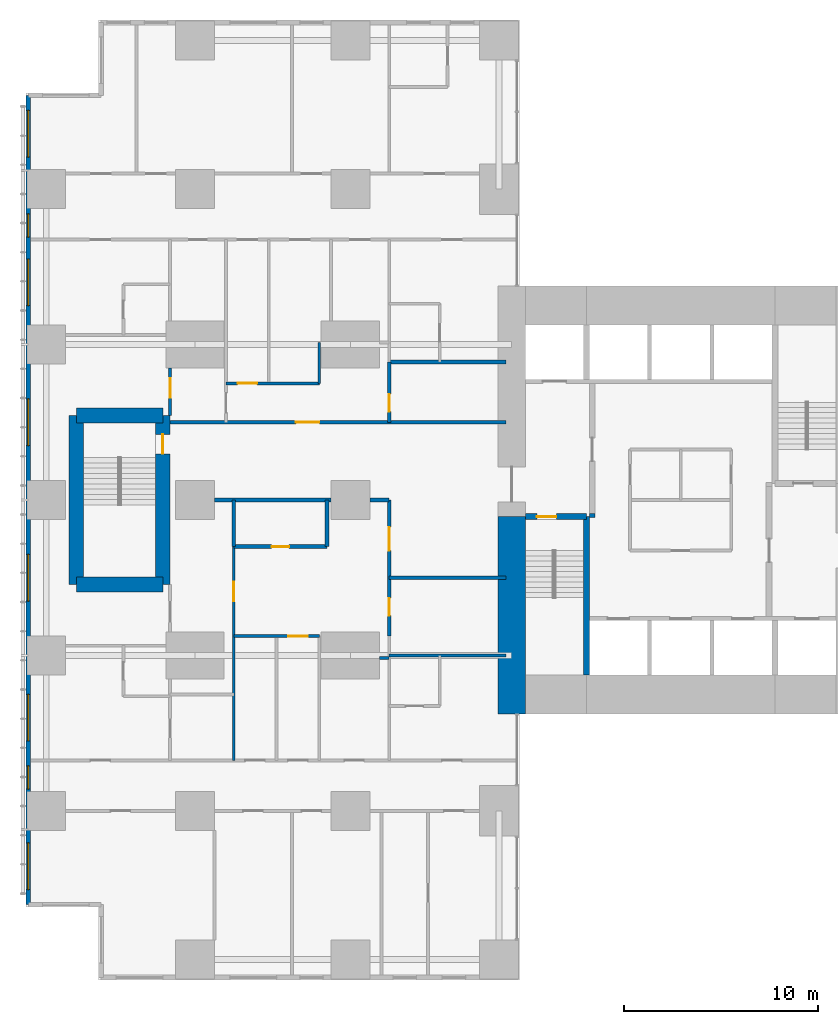
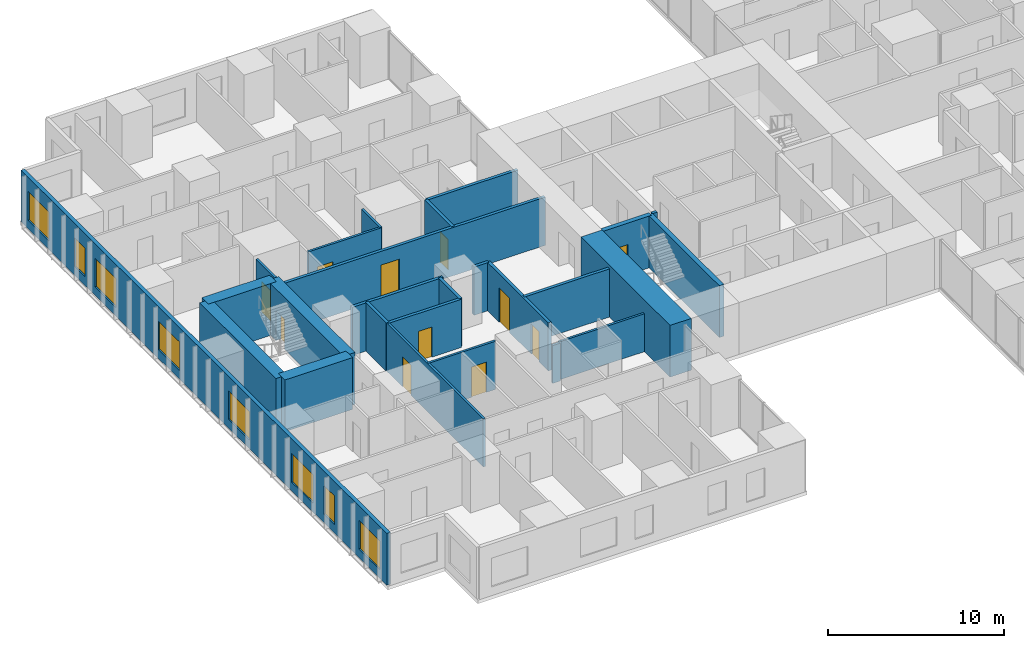
# One storey, part 13 of 20: 26 walls, 11 doors, 8 windows, 19 openings.
"""IFC4 building model written with IfcOpenShell, lengths in metres."""

import ifcopenshell
import ifcopenshell.guid

model = None  # the IFC model being written
_history = None  # IfcOwnerHistory: only IFC2X3 demands one
_inside = {}  # id of a spatial element -> (the spatial element, [elements in it])
_under = {}  # id of a project, library or spatial element -> (it, [spatial elements below it])
_declared = {}  # id of a project -> (the project, [libraries it declares])
_typed = {}  # id of a type object -> (the type object, [elements of that type])
_made_of = {}  # id of a material, layer set ... -> (it, [elements and type objects made of it])


def new_model(schema):
    """Start an empty IFC model of exactly this schema.

    Asked for "IFC4X3", IfcOpenShell would pick the latest addendum, in which some entities
    have other attributes; the version numbers below select the first issue.
    IFC2X3 requires an IfcOwnerHistory on every rooted entity: one is made here for all.
    """
    global model, _history
    if schema == "IFC4X3":
        model = ifcopenshell.file(schema_version=(4, 3, 0, 0))
    else:
        model = ifcopenshell.file(schema=schema)
    _inside.clear()
    _under.clear()
    _declared.clear()
    _typed.clear()
    _made_of.clear()
    _history = None
    if model.schema == "IFC2X3":
        org = make("IfcOrganization", Name="unknown")
        user = make(
            "IfcPersonAndOrganization",
            ThePerson=make("IfcPerson", FamilyName="unknown"),
            TheOrganization=org,
        )
        app = make(
            "IfcApplication",
            ApplicationDeveloper=org,
            Version="unknown",
            ApplicationFullName="unknown",
            ApplicationIdentifier="unknown",
        )
        _history = make(
            "IfcOwnerHistory",
            OwningUser=user,
            OwningApplication=app,
            ChangeAction="ADDED",
            CreationDate=0,
        )
    return model


def make(cls, **values):
    """One entity of the class cls with the attributes given. An attribute that is None is left unset."""
    return model.create_entity(
        cls, **{name: value for name, value in values.items() if value is not None}
    )


def rooted(cls, **values):
    """An entity with a GlobalId (a new one), such as an element, a storey or a relation."""
    return make(cls, GlobalId=ifcopenshell.guid.new(), OwnerHistory=_history, **values)


def si_unit(unit_type, name, prefix=None):
    """IfcSIUnit, for example si_unit("LENGTHUNIT", "METRE", prefix="MILLI")."""
    return make("IfcSIUnit", UnitType=unit_type, Prefix=prefix, Name=name)


def assignment(units):
    """IfcUnitAssignment: the units of a project."""
    return None if units is None else make("IfcUnitAssignment", Units=units)


def point(xyz):
    """IfcCartesianPoint."""
    return None if xyz is None else make("IfcCartesianPoint", Coordinates=xyz)


def direction(xyz):
    """IfcDirection."""
    return None if xyz is None else make("IfcDirection", DirectionRatios=xyz)


def frame(location, z_axis=None, x_axis=None):
    """IfcAxis2Placement3D, a coordinate frame: its origin and axes. An axis left out is left unset."""
    return make(
        "IfcAxis2Placement3D",
        Location=point(location),
        Axis=direction(z_axis),
        RefDirection=direction(x_axis),
    )


def frame_2d(location, x_axis=None):
    """IfcAxis2Placement2D, a coordinate frame in the plane: its origin and x axis."""
    return make(
        "IfcAxis2Placement2D", Location=point(location), RefDirection=direction(x_axis)
    )


def origin():
    """The frame at (0, 0, 0) with its axes left unset."""
    return frame((0.0, 0.0, 0.0))


def place(relative_to, where):
    """IfcLocalPlacement: puts the frame where relative to a parent placement (None: the world)."""
    return make(
        "IfcLocalPlacement", PlacementRelTo=relative_to, RelativePlacement=where
    )


def context(
    kind, dimensions, precision=None, world=None, true_north=None, identifier=None
):
    """IfcGeometricRepresentationContext, for example the 3D "Model" context."""
    return make(
        "IfcGeometricRepresentationContext",
        ContextIdentifier=identifier,
        ContextType=kind,
        CoordinateSpaceDimension=dimensions,
        Precision=precision,
        WorldCoordinateSystem=world,
        TrueNorth=true_north,
    )


def subcontext(parent, identifier, kind, view, scale=None):
    """IfcGeometricRepresentationSubContext, for example "Body" below "Model"."""
    return make(
        "IfcGeometricRepresentationSubContext",
        ContextIdentifier=identifier,
        ContextType=kind,
        ParentContext=parent,
        TargetScale=scale,
        TargetView=view,
    )


def project(units=None, contexts=None):
    """IfcProject with its units and contexts."""
    return rooted(
        "IfcProject",
        Name="project",
        RepresentationContexts=contexts,
        UnitsInContext=assignment(units),
    )


def spatial(cls, under=None, at=None, **own):
    """A site, building, storey or space (cls), placed at a placement, below another one or the project."""
    s = rooted(cls, ObjectPlacement=at, **own)
    if under is not None:
        _under.setdefault(under.id(), (under, []))[1].append(s)
    return s


def profile(cls, at=None, kind="AREA", **sizes):
    """A parametric profile (cls). Its sizes go by their IFC names, for example OverallWidth=200.0."""
    return make(cls, ProfileType=kind, Position=at, **sizes)


def rectangle(**sizes):
    """IfcRectangleProfileDef."""
    return profile("IfcRectangleProfileDef", **sizes)


def extrude(swept, where, along, depth):
    """IfcExtrudedAreaSolid: the profile swept, set in the frame where, extruded along a direction by depth."""
    return make(
        "IfcExtrudedAreaSolid",
        SweptArea=swept,
        Position=where,
        ExtrudedDirection=direction(along),
        Depth=depth,
    )


def shape(context_of_items, identifier, shape_type, items):
    """IfcShapeRepresentation: the items that make up one representation, for example the "Body"."""
    return make(
        "IfcShapeRepresentation",
        ContextOfItems=context_of_items,
        RepresentationIdentifier=identifier,
        RepresentationType=shape_type,
        Items=items,
    )


def material(Name=None, Category=None):
    """IfcMaterial."""
    return make("IfcMaterial", Name=Name, Category=Category)


def layer(
    of_material, thickness, ventilated=None, Name=None, Category=None, Priority=None
):
    """IfcMaterialLayer: one layer of a wall or slab, of a material (None: an air gap)."""
    return make(
        "IfcMaterialLayer",
        Material=of_material,
        LayerThickness=thickness,
        IsVentilated=ventilated,
        Name=Name,
        Category=Category,
        Priority=Priority,
    )


def layer_set(layers, Name=None):
    """IfcMaterialLayerSet."""
    return make("IfcMaterialLayerSet", MaterialLayers=layers, LayerSetName=Name)


def made_of(thing, what):
    """Note that an element or type object is made of a material, layer set ...; save() writes the relation."""
    if what is not None:
        _made_of.setdefault(what.id(), (what, []))[1].append(thing)
    return thing


def type_object(cls, material=None, **own):
    """A type object (cls), such as IfcWallType, which elements share."""
    return made_of(rooted(cls, **own), material)


def element(
    cls,
    number,
    at=None,
    inside=None,
    cuts=None,
    type_object=None,
    material=None,
    context=None,
    identifier="Body",
    shape_type=None,
    held_by="IfcProductDefinitionShape",
    body=None,
    shapes=None,
    **own,
):
    """One element of the class cls, such as IfcWall. Its Tag is "e" and its number.

    at: its placement. inside: the storey or other place that contains it. cuts: it is an
    opening in that element (IfcRelVoidsElement). A single representation is given by context,
    identifier, shape_type and body (its items); several are given by shapes. held_by: the class
    of the entity that holds the representations. save() writes the other relations.
    """
    e = rooted(cls, Tag="e%d" % number, ObjectPlacement=at, **own)
    if body is not None:
        shapes = [shape(context, identifier, shape_type, body)]
    if shapes is not None:
        e.Representation = make(held_by, Representations=shapes)
    if inside is not None:
        _inside.setdefault(inside.id(), (inside, []))[1].append(e)
    if cuts is not None:
        rooted(
            "IfcRelVoidsElement", RelatingBuildingElement=cuts, RelatedOpeningElement=e
        )
    if type_object is not None:
        _typed.setdefault(type_object.id(), (type_object, []))[1].append(e)
    return made_of(e, material)


def fill(opening, filler):
    """IfcRelFillsElement: the door or window that sits in an opening."""
    return rooted(
        "IfcRelFillsElement",
        RelatingOpeningElement=opening,
        RelatedBuildingElement=filler,
    )


def aggregate(whole, parts):
    """IfcRelAggregates: a whole, such as a stair, and the parts it consists of."""
    return rooted("IfcRelAggregates", RelatingObject=whole, RelatedObjects=parts)


def save(model, path):
    """Write the relations noted so far, then the file.

    IfcRelAggregates (storeys below a building ...), IfcRelContainedInSpatialStructure (elements
    in a storey), IfcRelDefinesByType, IfcRelAssociatesMaterial and IfcRelDeclares: one each for
    every whole, place, type object, material and project.
    """
    for whole, parts in _under.values():
        aggregate(whole, parts)
    for where, things in _inside.values():
        rooted(
            "IfcRelContainedInSpatialStructure",
            RelatedElements=things,
            RelatingStructure=where,
        )
    for kind, things in _typed.values():
        rooted("IfcRelDefinesByType", RelatedObjects=things, RelatingType=kind)
    for what, things in _made_of.values():
        rooted("IfcRelAssociatesMaterial", RelatedObjects=things, RelatingMaterial=what)
    for by, libraries in _declared.values():
        rooted("IfcRelDeclares", RelatingContext=by, RelatedDefinitions=libraries)
    model.write(path)


model = new_model("IFC4")

# Units and contexts
model_context = context("Model", 3, precision=1e-05, world=origin(), true_north=direction((0.0, 1.0)))
body_context = subcontext(model_context, "Body", "Model", "MODEL_VIEW")
ifc_project = project(units=[si_unit("LENGTHUNIT", "METRE"), si_unit("AREAUNIT", "SQUARE_METRE"), si_unit("VOLUMEUNIT", "CUBIC_METRE"), si_unit("PLANEANGLEUNIT", "RADIAN"), si_unit("MASSUNIT", "GRAM", prefix="KILO")], contexts=[model_context])

# Site, building, storey
site_placement = place(None, origin())
site = spatial("IfcSite", under=ifc_project, at=site_placement, CompositionType="ELEMENT")
building_placement = place(site_placement, origin())
building = spatial("IfcBuilding", under=site, at=building_placement, Name="Cleftline Residences", CompositionType="ELEMENT")
storey_placement = place(building_placement, frame((0.0, 0.0, 47.60009765625)))
storey = spatial("IfcBuildingStorey", under=building, at=storey_placement, Name="L11", CompositionType="ELEMENT", Elevation=47.60009765625)

# Walls
ifc_material_1 = material(Name="Concrete B70", Category="concrete")
ifc_layer_1 = layer(ifc_material_1, 1.39990234375)
ifc_layer_set_1 = layer_set([ifc_layer_1], Name="CORE WALL 1400")
wall_type_1 = type_object("IfcWallType", Name="CORE WALL 1400", PredefinedType="SHEAR", material=ifc_layer_set_1)
wall_1_placement = place(storey_placement, frame((24.300048828125, 13.0, 0.0), z_axis=(0.0, 0.0, 1.0), x_axis=(0.0, 1.0, 0.0)))
element("IfcWall", 1, at=wall_1_placement, inside=storey, type_object=wall_type_1, Name="Core wall W0", PredefinedType="SHEAR", context=body_context, shape_type="SweptSolid", body=[
    extrude(rectangle(XDim=10.14990234375, YDim=1.39990234375, at=frame_2d((5.074951171875, 0.0))), origin(), (0.0, 0.0, 1.0), 3.599853515625),
])
ifc_material_2 = material(Name="Concrete B70", Category="concrete")
ifc_layer_2 = layer(ifc_material_2, 0.300048828125)
ifc_layer_set_2 = layer_set([ifc_layer_2], Name="CORE WALL 300")
wall_type_2 = type_object("IfcWallType", Name="CORE WALL 300", PredefinedType="SHEAR", material=ifc_layer_set_2)
wall_2_placement = place(storey_placement, frame((28.14990234375, 15.0, 0.0), z_axis=(0.0, 0.0, 1.0), x_axis=(0.0, 1.0, 0.0)))
element("IfcWall", 2, at=wall_2_placement, inside=storey, type_object=wall_type_2, Name="Core wall SA-E", PredefinedType="SHEAR", context=body_context, shape_type="SweptSolid", body=[
    extrude(rectangle(XDim=8.14990234375, YDim=0.300048828125, at=frame_2d((4.074951171875, 0.0))), origin(), (0.0, 0.0, 1.0), 3.599853515625),
])

# Wall, opening, door
wall_3_placement = place(storey_placement, frame((25.0, 23.14990234375, 0.0), z_axis=(0.0, 0.0, 1.0), x_axis=(1.0, 0.0, 0.0)))
wall_3 = element("IfcWall", 3, at=wall_3_placement, inside=storey, type_object=wall_type_2, Name="Core wall SA-N", PredefinedType="SHEAR", context=body_context, shape_type="SweptSolid", body=[
    extrude(rectangle(XDim=3.14990234375, YDim=0.300048828125, at=frame_2d((1.574951171875, 0.0))), origin(), (0.0, 0.0, 1.0), 3.599853515625),
])
opening_1_placement = place(wall_3_placement, frame((0.60009765625, 0.0, 0.0)))
opening_1 = element("IfcOpeningElement", 4, at=opening_1_placement, cuts=wall_3, Name="Opening D5", PredefinedType="OPENING", context=body_context, shape_type="SweptSolid", body=[
    extrude(rectangle(XDim=1.0, YDim=2.10009765625, at=frame_2d((0.5, 1.050048828125))), frame((0.0, 0.159912109375, 0.0), z_axis=(0.0, -1.0, 0.0), x_axis=(1.0, 0.0, 0.0)), (0.0, 0.0, 1.0), 0.320068359375),
])
ifc_material_3 = material(Name="Steel", Category="steel")
door_type_1 = type_object("IfcDoorType", Name="STAIR DOOR 1000X2100", OperationType="SINGLE_SWING_LEFT", PredefinedType="DOOR", material=ifc_material_3)
door_1_placement = place(opening_1_placement, origin())
door_1 = element("IfcDoor", 5, at=door_1_placement, inside=storey, type_object=door_type_1, Name="Stair A door", OperationType="SINGLE_SWING_RIGHT", OverallHeight=2.10009765625, OverallWidth=1.0, PredefinedType="DOOR", context=body_context, shape_type="SweptSolid", body=[
    extrude(rectangle(XDim=1.0, YDim=2.10009765625, at=frame_2d((0.5, 1.050048828125))), frame((0.0, 0.02490234375, 0.0), z_axis=(0.0, -1.0, 0.0), x_axis=(1.0, 0.0, 0.0)), (0.0, 0.0, 1.0), 0.050048828125),
])
fill(opening_1, door_1)

# Wall, openings, windows
ifc_material_4 = material(Name="Rendered reinforced concrete blockwork", Category="masonry")
ifc_layer_3 = layer(ifc_material_4, 0.25)
ifc_layer_set_3 = layer_set([ifc_layer_3], Name="EXTERNAL WALL 250")
wall_type_3 = type_object("IfcWallType", Name="EXTERNAL WALL 250", PredefinedType="SOLIDWALL", material=ifc_layer_set_3)
wall_4_placement = place(storey_placement, frame((-0.574951171875, 44.824951171875, 0.0), z_axis=(0.0, 0.0, 1.0), x_axis=(0.0, -1.0, 0.0)))
wall_4 = element("IfcWall", 6, at=wall_4_placement, inside=storey, type_object=wall_type_3, Name="External wall", PredefinedType="SOLIDWALL", context=body_context, shape_type="SweptSolid", body=[
    extrude(rectangle(XDim=41.64990234375, YDim=0.25, at=frame_2d((20.824951171875, 0.0))), origin(), (0.0, 0.0, 1.0), 3.599853515625),
])
opening_2_placement = place(wall_4_placement, frame((0.77490234375, 0.0, 0.60009765625)))
opening_2 = element("IfcOpeningElement", 7, at=opening_2_placement, cuts=wall_4, Name="Opening W6", PredefinedType="OPENING", context=body_context, shape_type="SweptSolid", body=[
    extrude(rectangle(XDim=2.39990234375, YDim=2.0, at=frame_2d((1.199951171875, 1.0))), frame((0.0, 0.135009765625, 0.0), z_axis=(0.0, -1.0, 0.0), x_axis=(1.0, 0.0, 0.0)), (0.0, 0.0, 1.0), 0.27001953125),
])
opening_3_placement = place(wall_4_placement, frame((6.10009765625, 0.0, 0.60009765625)))
opening_3 = element("IfcOpeningElement", 8, at=opening_3_placement, cuts=wall_4, Name="Opening W8", PredefinedType="OPENING", context=body_context, shape_type="SweptSolid", body=[
    extrude(rectangle(XDim=1.199951171875, YDim=2.0, at=frame_2d((0.60009765625, 1.0))), frame((0.0, 0.135009765625, 0.0), z_axis=(0.0, -1.0, 0.0), x_axis=(1.0, 0.0, 0.0)), (0.0, 0.0, 1.0), 0.27001953125),
])
opening_4_placement = place(wall_4_placement, frame((8.425048828125, 0.0, 0.60009765625)))
opening_4 = element("IfcOpeningElement", 9, at=opening_4_placement, cuts=wall_4, Name="Opening W6", PredefinedType="OPENING", context=body_context, shape_type="SweptSolid", body=[
    extrude(rectangle(XDim=2.39990234375, YDim=2.0, at=frame_2d((1.199951171875, 1.0))), frame((0.0, 0.135009765625, 0.0), z_axis=(0.0, -1.0, 0.0), x_axis=(1.0, 0.0, 0.0)), (0.0, 0.0, 1.0), 0.27001953125),
])
opening_5_placement = place(wall_4_placement, frame((15.625, 0.0, 0.60009765625)))
opening_5 = element("IfcOpeningElement", 10, at=opening_5_placement, cuts=wall_4, Name="Opening W6", PredefinedType="OPENING", context=body_context, shape_type="SweptSolid", body=[
    extrude(rectangle(XDim=2.39990234375, YDim=2.0, at=frame_2d((1.199951171875, 1.0))), frame((0.0, 0.135009765625, 0.0), z_axis=(0.0, -1.0, 0.0), x_axis=(1.0, 0.0, 0.0)), (0.0, 0.0, 1.0), 0.27001953125),
])
opening_6_placement = place(wall_4_placement, frame((23.625, 0.0, 0.60009765625)))
opening_6 = element("IfcOpeningElement", 11, at=opening_6_placement, cuts=wall_4, Name="Opening W6", PredefinedType="OPENING", context=body_context, shape_type="SweptSolid", body=[
    extrude(rectangle(XDim=2.39990234375, YDim=2.0, at=frame_2d((1.199951171875, 1.0))), frame((0.0, 0.135009765625, 0.0), z_axis=(0.0, -1.0, 0.0), x_axis=(1.0, 0.0, 0.0)), (0.0, 0.0, 1.0), 0.27001953125),
])
opening_7_placement = place(wall_4_placement, frame((30.824951171875, 0.0, 0.60009765625)))
opening_7 = element("IfcOpeningElement", 12, at=opening_7_placement, cuts=wall_4, Name="Opening W6", PredefinedType="OPENING", context=body_context, shape_type="SweptSolid", body=[
    extrude(rectangle(XDim=2.39990234375, YDim=2.0, at=frame_2d((1.199951171875, 1.0))), frame((0.0, 0.135009765625, 0.0), z_axis=(0.0, -1.0, 0.0), x_axis=(1.0, 0.0, 0.0)), (0.0, 0.0, 1.0), 0.27001953125),
])
opening_8_placement = place(wall_4_placement, frame((34.5, 0.0, 0.60009765625)))
opening_8 = element("IfcOpeningElement", 13, at=opening_8_placement, cuts=wall_4, Name="Opening W8", PredefinedType="OPENING", context=body_context, shape_type="SweptSolid", body=[
    extrude(rectangle(XDim=1.199951171875, YDim=2.0, at=frame_2d((0.60009765625, 1.0))), frame((0.0, 0.135009765625, 0.0), z_axis=(0.0, -1.0, 0.0), x_axis=(1.0, 0.0, 0.0)), (0.0, 0.0, 1.0), 0.27001953125),
])
opening_9_placement = place(wall_4_placement, frame((38.47509765625, 0.0, 0.60009765625)))
opening_9 = element("IfcOpeningElement", 14, at=opening_9_placement, cuts=wall_4, Name="Opening W6", PredefinedType="OPENING", context=body_context, shape_type="SweptSolid", body=[
    extrude(rectangle(XDim=2.39990234375, YDim=2.0, at=frame_2d((1.199951171875, 1.0))), frame((0.0, 0.135009765625, 0.0), z_axis=(0.0, -1.0, 0.0), x_axis=(1.0, 0.0, 0.0)), (0.0, 0.0, 1.0), 0.27001953125),
])
ifc_material_5 = material(Name="Aluminium frame, clear double glazing", Category="aluminium")
window_type_1 = type_object("IfcWindowType", Name="WINDOW 1200X2000", PartitioningType="DOUBLE_PANEL_VERTICAL", PredefinedType="WINDOW", material=ifc_material_5)
window_1_placement = place(opening_3_placement, origin())
window_1 = element("IfcWindow", 15, at=window_1_placement, inside=storey, type_object=window_type_1, Name="Window", OverallHeight=2.0, OverallWidth=1.199951171875, PartitioningType="SINGLE_PANEL", PredefinedType="WINDOW", context=body_context, shape_type="SweptSolid", body=[
    extrude(rectangle(XDim=1.199951171875, YDim=2.0, at=frame_2d((0.60009765625, 1.0))), frame((0.0, 0.030029296875, 0.0), z_axis=(0.0, -1.0, 0.0), x_axis=(1.0, 0.0, 0.0)), (0.0, 0.0, 1.0), 0.06005859375),
])
fill(opening_3, window_1)
window_2_placement = place(opening_8_placement, origin())
window_2 = element("IfcWindow", 16, at=window_2_placement, inside=storey, type_object=window_type_1, Name="Window", OverallHeight=2.0, OverallWidth=1.199951171875, PartitioningType="SINGLE_PANEL", PredefinedType="WINDOW", context=body_context, shape_type="SweptSolid", body=[
    extrude(rectangle(XDim=1.199951171875, YDim=2.0, at=frame_2d((0.60009765625, 1.0))), frame((0.0, 0.030029296875, 0.0), z_axis=(0.0, -1.0, 0.0), x_axis=(1.0, 0.0, 0.0)), (0.0, 0.0, 1.0), 0.06005859375),
])
fill(opening_8, window_2)
ifc_material_6 = material(Name="Aluminium frame, clear double glazing", Category="aluminium")
window_type_2 = type_object("IfcWindowType", Name="WINDOW 2400X2000", PartitioningType="DOUBLE_PANEL_VERTICAL", PredefinedType="WINDOW", material=ifc_material_6)
window_3_placement = place(opening_2_placement, origin())
window_3 = element("IfcWindow", 17, at=window_3_placement, inside=storey, type_object=window_type_2, Name="Window", OverallHeight=2.0, OverallWidth=2.39990234375, PartitioningType="SINGLE_PANEL", PredefinedType="WINDOW", context=body_context, shape_type="SweptSolid", body=[
    extrude(rectangle(XDim=2.39990234375, YDim=2.0, at=frame_2d((1.199951171875, 1.0))), frame((0.0, 0.030029296875, 0.0), z_axis=(0.0, -1.0, 0.0), x_axis=(1.0, 0.0, 0.0)), (0.0, 0.0, 1.0), 0.06005859375),
])
fill(opening_2, window_3)
window_4_placement = place(opening_4_placement, origin())
window_4 = element("IfcWindow", 18, at=window_4_placement, inside=storey, type_object=window_type_2, Name="Window", OverallHeight=2.0, OverallWidth=2.39990234375, PartitioningType="SINGLE_PANEL", PredefinedType="WINDOW", context=body_context, shape_type="SweptSolid", body=[
    extrude(rectangle(XDim=2.39990234375, YDim=2.0, at=frame_2d((1.199951171875, 1.0))), frame((0.0, 0.030029296875, 0.0), z_axis=(0.0, -1.0, 0.0), x_axis=(1.0, 0.0, 0.0)), (0.0, 0.0, 1.0), 0.06005859375),
])
fill(opening_4, window_4)
window_5_placement = place(opening_5_placement, origin())
window_5 = element("IfcWindow", 19, at=window_5_placement, inside=storey, type_object=window_type_2, Name="Window", OverallHeight=2.0, OverallWidth=2.39990234375, PartitioningType="SINGLE_PANEL", PredefinedType="WINDOW", context=body_context, shape_type="SweptSolid", body=[
    extrude(rectangle(XDim=2.39990234375, YDim=2.0, at=frame_2d((1.199951171875, 1.0))), frame((0.0, 0.030029296875, 0.0), z_axis=(0.0, -1.0, 0.0), x_axis=(1.0, 0.0, 0.0)), (0.0, 0.0, 1.0), 0.06005859375),
])
fill(opening_5, window_5)
window_6_placement = place(opening_6_placement, origin())
window_6 = element("IfcWindow", 20, at=window_6_placement, inside=storey, type_object=window_type_2, Name="Window", OverallHeight=2.0, OverallWidth=2.39990234375, PartitioningType="SINGLE_PANEL", PredefinedType="WINDOW", context=body_context, shape_type="SweptSolid", body=[
    extrude(rectangle(XDim=2.39990234375, YDim=2.0, at=frame_2d((1.199951171875, 1.0))), frame((0.0, 0.030029296875, 0.0), z_axis=(0.0, -1.0, 0.0), x_axis=(1.0, 0.0, 0.0)), (0.0, 0.0, 1.0), 0.06005859375),
])
fill(opening_6, window_6)
window_7_placement = place(opening_7_placement, origin())
window_7 = element("IfcWindow", 21, at=window_7_placement, inside=storey, type_object=window_type_2, Name="Window", OverallHeight=2.0, OverallWidth=2.39990234375, PartitioningType="SINGLE_PANEL", PredefinedType="WINDOW", context=body_context, shape_type="SweptSolid", body=[
    extrude(rectangle(XDim=2.39990234375, YDim=2.0, at=frame_2d((1.199951171875, 1.0))), frame((0.0, 0.030029296875, 0.0), z_axis=(0.0, -1.0, 0.0), x_axis=(1.0, 0.0, 0.0)), (0.0, 0.0, 1.0), 0.06005859375),
])
fill(opening_7, window_7)
window_8_placement = place(opening_9_placement, origin())
window_8 = element("IfcWindow", 22, at=window_8_placement, inside=storey, type_object=window_type_2, Name="Window", OverallHeight=2.0, OverallWidth=2.39990234375, PartitioningType="SINGLE_PANEL", PredefinedType="WINDOW", context=body_context, shape_type="SweptSolid", body=[
    extrude(rectangle(XDim=2.39990234375, YDim=2.0, at=frame_2d((1.199951171875, 1.0))), frame((0.0, 0.030029296875, 0.0), z_axis=(0.0, -1.0, 0.0), x_axis=(1.0, 0.0, 0.0)), (0.0, 0.0, 1.0), 0.06005859375),
])
fill(opening_9, window_8)

# Wall
ifc_material_7 = material(Name="Concrete blockwork, fire rated", Category="masonry")
ifc_layer_4 = layer(ifc_material_7, 0.199951171875)
ifc_layer_set_4 = layer_set([ifc_layer_4], Name="FIRE WALL 200")
wall_type_4 = type_object("IfcWallType", Name="FIRE WALL 200", PredefinedType="PARTITIONING", material=ifc_layer_set_4)
wall_5_placement = place(storey_placement, frame((18.0, 20.0, 0.0), z_axis=(0.0, 0.0, 1.0), x_axis=(1.0, 0.0, 0.0)))
element("IfcWall", 23, at=wall_5_placement, inside=storey, type_object=wall_type_4, Name="Fire separating wall", PredefinedType="PARTITIONING", context=body_context, shape_type="SweptSolid", body=[
    extrude(rectangle(XDim=6.0, YDim=0.199951171875, at=frame_2d((3.0, 0.0))), origin(), (0.0, 0.0, 1.0), 3.349853515625),
])

# Wall, opening, door
wall_6_placement = place(storey_placement, frame((10.0, 21.60009765625, 0.0), z_axis=(0.0, 0.0, 1.0), x_axis=(1.0, 0.0, 0.0)))
wall_6 = element("IfcWall", 24, at=wall_6_placement, inside=storey, type_object=wall_type_4, Name="Fire separating wall", PredefinedType="PARTITIONING", context=body_context, shape_type="SweptSolid", body=[
    extrude(rectangle(XDim=4.800048828125, YDim=0.199951171875, at=frame_2d((2.39990234375, 0.0))), origin(), (0.0, 0.0, 1.0), 3.349853515625),
])
opening_10_placement = place(wall_6_placement, frame((1.949951171875, 0.0, 0.0)))
opening_10 = element("IfcOpeningElement", 25, at=opening_10_placement, cuts=wall_6, Name="Opening D1F30", PredefinedType="OPENING", context=body_context, shape_type="SweptSolid", body=[
    extrude(rectangle(XDim=0.89990234375, YDim=2.10009765625, at=frame_2d((0.449951171875, 1.050048828125))), frame((0.0, 0.10986328125, 0.0), z_axis=(0.0, -1.0, 0.0), x_axis=(1.0, 0.0, 0.0)), (0.0, 0.0, 1.0), 0.219970703125),
])
ifc_material_8 = material(Name="Timber veneer on solid core", Category="wood")
door_type_2 = type_object("IfcDoorType", Name="DOOR 900X2100 EI 30", OperationType="SINGLE_SWING_LEFT", PredefinedType="DOOR", material=ifc_material_8)
door_2_placement = place(opening_10_placement, origin())
door_2 = element("IfcDoor", 26, at=door_2_placement, inside=storey, type_object=door_type_2, Name="Door to cloakroom wc", OperationType="SINGLE_SWING_LEFT", OverallHeight=2.10009765625, OverallWidth=0.89990234375, PredefinedType="DOOR", context=body_context, shape_type="SweptSolid", body=[
    extrude(rectangle(XDim=0.89990234375, YDim=2.10009765625, at=frame_2d((0.449951171875, 1.050048828125))), frame((0.0, 0.02490234375, 0.0), z_axis=(0.0, -1.0, 0.0), x_axis=(1.0, 0.0, 0.0)), (0.0, 0.0, 1.0), 0.050048828125),
])
fill(opening_10, door_2)

# Walls
wall_7_placement = place(storey_placement, frame((9.0, 24.0, 0.0), z_axis=(0.0, 0.0, 1.0), x_axis=(1.0, 0.0, 0.0)))
element("IfcWall", 27, at=wall_7_placement, inside=storey, type_object=wall_type_4, Name="Fire separating wall", PredefinedType="PARTITIONING", context=body_context, shape_type="SweptSolid", body=[
    extrude(rectangle(XDim=6.0, YDim=0.199951171875, at=frame_2d((3.0, 0.0))), origin(), (0.0, 0.0, 1.0), 3.349853515625),
])
wall_8_placement = place(storey_placement, frame((17.0, 24.0, 0.0), z_axis=(0.0, 0.0, 1.0), x_axis=(1.0, 0.0, 0.0)))
element("IfcWall", 28, at=wall_8_placement, inside=storey, type_object=wall_type_4, Name="Fire separating wall", PredefinedType="PARTITIONING", context=body_context, shape_type="SweptSolid", body=[
    extrude(rectangle(XDim=1.0, YDim=0.199951171875, at=frame_2d((0.5, 0.0))), origin(), (0.0, 0.0, 1.0), 3.349853515625),
])

# Wall, opening, door
wall_9_placement = place(storey_placement, frame((6.72509765625, 28.0, 0.0), z_axis=(0.0, 0.0, 1.0), x_axis=(1.0, 0.0, 0.0)))
wall_9 = element("IfcWall", 29, at=wall_9_placement, inside=storey, type_object=wall_type_4, Name="Fire separating wall", PredefinedType="PARTITIONING", context=body_context, shape_type="SweptSolid", body=[
    extrude(rectangle(XDim=17.27490234375, YDim=0.199951171875, at=frame_2d((8.637451171875, 0.0))), origin(), (0.0, 0.0, 1.0), 3.349853515625),
])
opening_11_placement = place(wall_9_placement, frame((6.47509765625, 0.0, 0.0)))
opening_11 = element("IfcOpeningElement", 30, at=opening_11_placement, cuts=wall_9, Name="Opening D4", PredefinedType="OPENING", context=body_context, shape_type="SweptSolid", body=[
    extrude(rectangle(XDim=1.199951171875, YDim=2.39990234375, at=frame_2d((0.60009765625, 1.199951171875))), frame((0.0, 0.10986328125, 0.0), z_axis=(0.0, -1.0, 0.0), x_axis=(1.0, 0.0, 0.0)), (0.0, 0.0, 1.0), 0.219970703125),
])
ifc_material_9 = material(Name="Timber veneer on solid core", Category="wood")
door_type_3 = type_object("IfcDoorType", Name="APARTMENT ENTRANCE DOOR 1200X2400", OperationType="SINGLE_SWING_RIGHT", PredefinedType="DOOR", material=ifc_material_9)
door_3_placement = place(opening_11_placement, origin())
door_3 = element("IfcDoor", 31, at=door_3_placement, inside=storey, type_object=door_type_3, Name="Door to residence entrance foyer", OperationType="SINGLE_SWING_RIGHT", OverallHeight=2.39990234375, OverallWidth=1.199951171875, PredefinedType="DOOR", context=body_context, shape_type="SweptSolid", body=[
    extrude(rectangle(XDim=1.199951171875, YDim=2.39990234375, at=frame_2d((0.60009765625, 1.199951171875))), frame((0.0, 0.02490234375, 0.0), z_axis=(0.0, -1.0, 0.0), x_axis=(1.0, 0.0, 0.0)), (0.0, 0.0, 1.0), 0.050048828125),
])
fill(opening_11, door_3)

# Walls
wall_10_placement = place(storey_placement, frame((18.0, 31.10009765625, 0.0), z_axis=(0.0, 0.0, 1.0), x_axis=(1.0, 0.0, 0.0)))
element("IfcWall", 32, at=wall_10_placement, inside=storey, type_object=wall_type_4, Name="Fire separating wall", PredefinedType="PARTITIONING", context=body_context, shape_type="SweptSolid", body=[
    extrude(rectangle(XDim=6.0, YDim=0.199951171875, at=frame_2d((3.0, 0.0))), origin(), (0.0, 0.0, 1.0), 3.349853515625),
])
for number, where, z_axis, x_axis, name in (
    (33, (10.0, 21.60009765625, 0.0), (0.0, 0.0, 1.0), (0.0, 1.0, 0.0), "Fire separating wall"),
    (34, (14.800048828125, 21.60009765625, 0.0), (0.0, 0.0, 1.0), (0.0, 1.0, 0.0), "Fire separating wall"),
):
    element("IfcWall", number, at=place(storey_placement, frame(where, z_axis=z_axis, x_axis=x_axis)), inside=storey, type_object=wall_type_4, Name=name, PredefinedType="PARTITIONING", context=body_context, shape_type="SweptSolid", body=[
        extrude(rectangle(XDim=2.39990234375, YDim=0.199951171875, at=frame_2d((1.199951171875, 0.0))), origin(), (0.0, 0.0, 1.0), 3.349853515625),
    ])

# Wall, openings, doors
wall_11_placement = place(storey_placement, frame((18.0, 17.0, 0.0), z_axis=(0.0, 0.0, 1.0), x_axis=(0.0, 1.0, 0.0)))
wall_11 = element("IfcWall", 35, at=wall_11_placement, inside=storey, type_object=wall_type_4, Name="Fire separating wall", PredefinedType="PARTITIONING", context=body_context, shape_type="SweptSolid", body=[
    extrude(rectangle(XDim=7.0, YDim=0.199951171875, at=frame_2d((3.5, 0.0))), origin(), (0.0, 0.0, 1.0), 3.349853515625),
])
opening_12_placement = place(wall_11_placement, frame((4.39990234375, 0.0, 0.0)))
opening_12 = element("IfcOpeningElement", 36, at=opening_12_placement, cuts=wall_11, Name="Opening D4", PredefinedType="OPENING", context=body_context, shape_type="SweptSolid", body=[
    extrude(rectangle(XDim=1.199951171875, YDim=2.39990234375, at=frame_2d((0.60009765625, 1.199951171875))), frame((0.0, 0.10986328125, 0.0), z_axis=(0.0, -1.0, 0.0), x_axis=(1.0, 0.0, 0.0)), (0.0, 0.0, 1.0), 0.219970703125),
])
opening_13_placement = place(wall_11_placement, frame((1.050048828125, 0.0, 0.0)))
opening_13 = element("IfcOpeningElement", 37, at=opening_13_placement, cuts=wall_11, Name="Opening D1F30", PredefinedType="OPENING", context=body_context, shape_type="SweptSolid", body=[
    extrude(rectangle(XDim=0.89990234375, YDim=2.10009765625, at=frame_2d((0.449951171875, 1.050048828125))), frame((0.0, 0.10986328125, 0.0), z_axis=(0.0, -1.0, 0.0), x_axis=(1.0, 0.0, 0.0)), (0.0, 0.0, 1.0), 0.219970703125),
])
door_4_placement = place(opening_12_placement, origin())
door_4 = element("IfcDoor", 38, at=door_4_placement, inside=storey, type_object=door_type_3, Name="Door to residence entrance foyer", OperationType="SINGLE_SWING_LEFT", OverallHeight=2.39990234375, OverallWidth=1.199951171875, PredefinedType="DOOR", context=body_context, shape_type="SweptSolid", body=[
    extrude(rectangle(XDim=1.199951171875, YDim=2.39990234375, at=frame_2d((0.60009765625, 1.199951171875))), frame((0.0, 0.02490234375, 0.0), z_axis=(0.0, -1.0, 0.0), x_axis=(1.0, 0.0, 0.0)), (0.0, 0.0, 1.0), 0.050048828125),
])
fill(opening_12, door_4)
door_5_placement = place(opening_13_placement, origin())
door_5 = element("IfcDoor", 39, at=door_5_placement, inside=storey, type_object=door_type_2, Name="Door to utility room", OperationType="SINGLE_SWING_RIGHT", OverallHeight=2.10009765625, OverallWidth=0.89990234375, PredefinedType="DOOR", context=body_context, shape_type="SweptSolid", body=[
    extrude(rectangle(XDim=0.89990234375, YDim=2.10009765625, at=frame_2d((0.449951171875, 1.050048828125))), frame((0.0, 0.02490234375, 0.0), z_axis=(0.0, -1.0, 0.0), x_axis=(1.0, 0.0, 0.0)), (0.0, 0.0, 1.0), 0.050048828125),
])
fill(opening_13, door_5)

# Wall, opening, door
wall_12_placement = place(storey_placement, frame((18.0, 28.0, 0.0), z_axis=(0.0, 0.0, 1.0), x_axis=(0.0, 1.0, 0.0)))
wall_12 = element("IfcWall", 40, at=wall_12_placement, inside=storey, type_object=wall_type_4, Name="Fire separating wall", PredefinedType="PARTITIONING", context=body_context, shape_type="SweptSolid", body=[
    extrude(rectangle(XDim=3.10009765625, YDim=0.199951171875, at=frame_2d((1.550048828125, 0.0))), origin(), (0.0, 0.0, 1.0), 3.349853515625),
])
opening_14_placement = place(wall_12_placement, frame((0.550048828125, 0.0, 0.0)))
opening_14 = element("IfcOpeningElement", 41, at=opening_14_placement, cuts=wall_12, Name="Opening D1F30", PredefinedType="OPENING", context=body_context, shape_type="SweptSolid", body=[
    extrude(rectangle(XDim=0.89990234375, YDim=2.10009765625, at=frame_2d((0.449951171875, 1.050048828125))), frame((0.0, 0.10986328125, 0.0), z_axis=(0.0, -1.0, 0.0), x_axis=(1.0, 0.0, 0.0)), (0.0, 0.0, 1.0), 0.219970703125),
])
door_6_placement = place(opening_14_placement, origin())
door_6 = element("IfcDoor", 42, at=door_6_placement, inside=storey, type_object=door_type_2, Name="Door to laundry and wc", OperationType="SINGLE_SWING_RIGHT", OverallHeight=2.10009765625, OverallWidth=0.89990234375, PredefinedType="DOOR", context=body_context, shape_type="SweptSolid", body=[
    extrude(rectangle(XDim=0.89990234375, YDim=2.10009765625, at=frame_2d((0.449951171875, 1.050048828125))), frame((0.0, 0.02490234375, 0.0), z_axis=(0.0, -1.0, 0.0), x_axis=(1.0, 0.0, 0.0)), (0.0, 0.0, 1.0), 0.050048828125),
])
fill(opening_14, door_6)

# Walls
wall_13_placement = place(storey_placement, frame((28.300048828125, 23.199951171875, 0.0), z_axis=(0.0, 0.0, 1.0), x_axis=(1.0, 0.0, 0.0)))
element("IfcWall", 43, at=wall_13_placement, inside=storey, type_object=wall_type_4, Name="Fire separating wall", PredefinedType="PARTITIONING", context=body_context, shape_type="SweptSolid", body=[
    extrude(rectangle(XDim=0.300048828125, YDim=0.199951171875, at=frame_2d((0.14990234375, 0.0))), origin(), (0.0, 0.0, 1.0), 3.599853515625),
])
ifc_material_10 = material(Name="Gypsum board on steel studs", Category="steel")
ifc_layer_5 = layer(ifc_material_10, 0.14990234375)
ifc_layer_set_5 = layer_set([ifc_layer_5], Name="PARTITION 150")
wall_type_5 = type_object("IfcWallType", Name="PARTITION 150", PredefinedType="PARTITIONING", material=ifc_layer_set_5)
wall_14_placement = place(storey_placement, frame((17.5, 15.875, 0.0), z_axis=(0.0, 0.0, 1.0), x_axis=(1.0, 0.0, 0.0)))
element("IfcWall", 44, at=wall_14_placement, inside=storey, type_object=wall_type_5, Name="Partition", PredefinedType="PARTITIONING", context=body_context, shape_type="SweptSolid", body=[
    extrude(rectangle(XDim=0.5, YDim=0.14990234375, at=frame_2d((0.25, 0.0))), origin(), (0.0, 0.0, 1.0), 2.6337890625),
])
wall_15_placement = place(storey_placement, frame((18.0, 16.0, 0.0), z_axis=(0.0, 0.0, 1.0), x_axis=(1.0, 0.0, 0.0)))
element("IfcWall", 45, at=wall_15_placement, inside=storey, type_object=wall_type_5, Name="Partition", PredefinedType="PARTITIONING", context=body_context, shape_type="SweptSolid", body=[
    extrude(rectangle(XDim=6.0, YDim=0.14990234375, at=frame_2d((3.0, 0.0))), origin(), (0.0, 0.0, 1.0), 2.6337890625),
])

# Wall, opening, door
wall_16_placement = place(storey_placement, frame((10.0, 17.0, 0.0), z_axis=(0.0, 0.0, 1.0), x_axis=(1.0, 0.0, 0.0)))
wall_16 = element("IfcWall", 46, at=wall_16_placement, inside=storey, type_object=wall_type_5, Name="Partition", PredefinedType="PARTITIONING", context=body_context, shape_type="SweptSolid", body=[
    extrude(rectangle(XDim=4.39990234375, YDim=0.14990234375, at=frame_2d((2.199951171875, 0.0))), origin(), (0.0, 0.0, 1.0), 3.349853515625),
])
opening_15_placement = place(wall_16_placement, frame((2.800048828125, 0.0, 0.0)))
opening_15 = element("IfcOpeningElement", 47, at=opening_15_placement, cuts=wall_16, Name="Opening D2", PredefinedType="OPENING", context=body_context, shape_type="SweptSolid", body=[
    extrude(rectangle(XDim=1.0, YDim=2.10009765625, at=frame_2d((0.5, 1.050048828125))), frame((0.0, 0.0849609375, 0.0), z_axis=(0.0, -1.0, 0.0), x_axis=(1.0, 0.0, 0.0)), (0.0, 0.0, 1.0), 0.169921875),
])
ifc_material_11 = material(Name="Timber veneer on solid core", Category="wood")
door_type_4 = type_object("IfcDoorType", Name="DOOR 1000X2100", OperationType="SINGLE_SWING_LEFT", PredefinedType="DOOR", material=ifc_material_11)
door_7_placement = place(opening_15_placement, origin())
door_7 = element("IfcDoor", 48, at=door_7_placement, inside=storey, type_object=door_type_4, Name="Door to residence passage", OperationType="SINGLE_SWING_LEFT", OverallHeight=2.10009765625, OverallWidth=1.0, PredefinedType="DOOR", context=body_context, shape_type="SweptSolid", body=[
    extrude(rectangle(XDim=1.0, YDim=2.10009765625, at=frame_2d((0.5, 1.050048828125))), frame((0.0, 0.02490234375, 0.0), z_axis=(0.0, -1.0, 0.0), x_axis=(1.0, 0.0, 0.0)), (0.0, 0.0, 1.0), 0.050048828125),
])
fill(opening_15, door_7)

wall_17_placement = place(storey_placement, frame((9.60009765625, 30.0, 0.0), z_axis=(0.0, 0.0, 1.0), x_axis=(1.0, 0.0, 0.0)))
wall_17 = element("IfcWall", 49, at=wall_17_placement, inside=storey, type_object=wall_type_5, Name="Partition", PredefinedType="PARTITIONING", context=body_context, shape_type="SweptSolid", body=[
    extrude(rectangle(XDim=4.7998046875, YDim=0.14990234375, at=frame_2d((2.39990234375, 0.0))), origin(), (0.0, 0.0, 1.0), 3.349853515625),
])
opening_16_placement = place(wall_17_placement, frame((0.60009765625, 0.0, 0.0)))
opening_16 = element("IfcOpeningElement", 50, at=opening_16_placement, cuts=wall_17, Name="Opening D2", PredefinedType="OPENING", context=body_context, shape_type="SweptSolid", body=[
    extrude(rectangle(XDim=1.0, YDim=2.10009765625, at=frame_2d((0.5, 1.050048828125))), frame((0.0, 0.0849609375, 0.0), z_axis=(0.0, -1.0, 0.0), x_axis=(1.0, 0.0, 0.0)), (0.0, 0.0, 1.0), 0.169921875),
])
door_8_placement = place(opening_16_placement, origin())
door_8 = element("IfcDoor", 51, at=door_8_placement, inside=storey, type_object=door_type_4, Name="Door to residence passage", OperationType="SINGLE_SWING_RIGHT", OverallHeight=2.10009765625, OverallWidth=1.0, PredefinedType="DOOR", context=body_context, shape_type="SweptSolid", body=[
    extrude(rectangle(XDim=1.0, YDim=2.10009765625, at=frame_2d((0.5, 1.050048828125))), frame((0.0, 0.02490234375, 0.0), z_axis=(0.0, -1.0, 0.0), x_axis=(1.0, 0.0, 0.0)), (0.0, 0.0, 1.0), 0.050048828125),
])
fill(opening_16, door_8)

wall_18_placement = place(storey_placement, frame((6.72509765625, 28.35009765625, 0.0), z_axis=(0.0, 0.0, 1.0), x_axis=(0.0, 1.0, 0.0)))
wall_18 = element("IfcWall", 52, at=wall_18_placement, inside=storey, type_object=wall_type_5, Name="Partition", PredefinedType="PARTITIONING", context=body_context, shape_type="SweptSolid", body=[
    extrude(rectangle(XDim=2.449951171875, YDim=0.14990234375, at=frame_2d((1.22509765625, 0.0))), origin(), (0.0, 0.0, 1.0), 3.349853515625),
])
opening_17_placement = place(wall_18_placement, frame((0.91259765625, 0.0, 0.0)))
opening_17 = element("IfcOpeningElement", 53, at=opening_17_placement, cuts=wall_18, Name="Opening D2", PredefinedType="OPENING", context=body_context, shape_type="SweptSolid", body=[
    extrude(rectangle(XDim=1.0, YDim=2.10009765625, at=frame_2d((0.5, 1.050048828125))), frame((0.0, 0.0849609375, 0.0), z_axis=(0.0, -1.0, 0.0), x_axis=(1.0, 0.0, 0.0)), (0.0, 0.0, 1.0), 0.169921875),
])
door_9_placement = place(opening_17_placement, origin())
door_9 = element("IfcDoor", 54, at=door_9_placement, inside=storey, type_object=door_type_4, Name="Door to staff bedroom", OperationType="SINGLE_SWING_LEFT", OverallHeight=2.10009765625, OverallWidth=1.0, PredefinedType="DOOR", context=body_context, shape_type="SweptSolid", body=[
    extrude(rectangle(XDim=1.0, YDim=2.10009765625, at=frame_2d((0.5, 1.050048828125))), frame((0.0, 0.02490234375, 0.0), z_axis=(0.0, -1.0, 0.0), x_axis=(1.0, 0.0, 0.0)), (0.0, 0.0, 1.0), 0.050048828125),
])
fill(opening_17, door_9)

wall_19_placement = place(storey_placement, frame((10.0, 10.60009765625, 0.0), z_axis=(0.0, 0.0, 1.0), x_axis=(0.0, 1.0, 0.0)))
wall_19 = element("IfcWall", 55, at=wall_19_placement, inside=storey, type_object=wall_type_5, Name="Partition", PredefinedType="PARTITIONING", context=body_context, shape_type="SweptSolid", body=[
    extrude(rectangle(XDim=11.0, YDim=0.14990234375, at=frame_2d((5.5, 0.0))), origin(), (0.0, 0.0, 1.0), 3.349853515625),
])
opening_18_placement = place(wall_19_placement, frame((8.199951171875, 0.0, 0.0)))
opening_18 = element("IfcOpeningElement", 56, at=opening_18_placement, cuts=wall_19, Name="Opening D2F30", PredefinedType="OPENING", context=body_context, shape_type="SweptSolid", body=[
    extrude(rectangle(XDim=1.0, YDim=2.10009765625, at=frame_2d((0.5, 1.050048828125))), frame((0.0, 0.0849609375, 0.0), z_axis=(0.0, -1.0, 0.0), x_axis=(1.0, 0.0, 0.0)), (0.0, 0.0, 1.0), 0.169921875),
])
ifc_material_12 = material(Name="Timber veneer on solid core", Category="wood")
door_type_5 = type_object("IfcDoorType", Name="DOOR 1000X2100 EI 30", OperationType="SINGLE_SWING_LEFT", PredefinedType="DOOR", material=ifc_material_12)
door_10_placement = place(opening_18_placement, origin())
door_10 = element("IfcDoor", 57, at=door_10_placement, inside=storey, type_object=door_type_5, Name="Door to residence lobby", OperationType="SINGLE_SWING_LEFT", OverallHeight=2.10009765625, OverallWidth=1.0, PredefinedType="DOOR", context=body_context, shape_type="SweptSolid", body=[
    extrude(rectangle(XDim=1.0, YDim=2.10009765625, at=frame_2d((0.5, 1.050048828125))), frame((0.0, 0.02490234375, 0.0), z_axis=(0.0, -1.0, 0.0), x_axis=(1.0, 0.0, 0.0)), (0.0, 0.0, 1.0), 0.050048828125),
])
fill(opening_18, door_10)

# Walls
wall_20_placement = place(storey_placement, frame((14.39990234375, 30.0, 0.0), z_axis=(0.0, 0.0, 1.0), x_axis=(0.0, 1.0, 0.0)))
element("IfcWall", 58, at=wall_20_placement, inside=storey, type_object=wall_type_5, Name="Partition", PredefinedType="PARTITIONING", context=body_context, shape_type="SweptSolid", body=[
    extrude(rectangle(XDim=2.10009765625, YDim=0.14990234375, at=frame_2d((1.050048828125, 0.0))), origin(), (0.0, 0.0, 1.0), 3.349853515625),
])
ifc_material_13 = material(Name="Concrete B70", Category="concrete")
ifc_layer_6 = layer(ifc_material_13, 0.75)
ifc_layer_set_6 = layer_set([ifc_layer_6], Name="SHEAR WALL 750")
wall_type_6 = type_object("IfcWallType", Name="SHEAR WALL 750", PredefinedType="SHEAR", material=ifc_layer_set_6)
wall_21_placement = place(storey_placement, frame((1.89990234375, 19.64990234375, 0.0), z_axis=(0.0, 0.0, 1.0), x_axis=(1.0, 0.0, 0.0)))
element("IfcWall", 59, at=wall_21_placement, inside=storey, type_object=wall_type_6, Name="Wing shear wall", PredefinedType="SHEAR", context=body_context, shape_type="SweptSolid", body=[
    extrude(rectangle(XDim=4.4501953125, YDim=0.75, at=frame_2d((2.22509765625, 0.0))), origin(), (0.0, 0.0, 1.0), 3.599853515625),
])

# Wall, opening, door
wall_22_placement = place(storey_placement, frame((6.35009765625, 19.64990234375, 0.0), z_axis=(0.0, 0.0, 1.0), x_axis=(0.0, 1.0, 0.0)))
wall_22 = element("IfcWall", 60, at=wall_22_placement, inside=storey, type_object=wall_type_6, Name="Wing shear wall", PredefinedType="SHEAR", context=body_context, shape_type="SweptSolid", body=[
    extrude(rectangle(XDim=8.7001953125, YDim=0.75, at=frame_2d((4.35009765625, 0.0))), origin(), (0.0, 0.0, 1.0), 3.599853515625),
])
opening_19_placement = place(wall_22_placement, frame((6.72509765625, 0.0, 0.0)))
opening_19 = element("IfcOpeningElement", 61, at=opening_19_placement, cuts=wall_22, Name="Opening D5", PredefinedType="OPENING", context=body_context, shape_type="SweptSolid", body=[
    extrude(rectangle(XDim=1.0, YDim=2.10009765625, at=frame_2d((0.5, 1.050048828125))), frame((0.0, 0.385009765625, 0.0), z_axis=(0.0, -1.0, 0.0), x_axis=(1.0, 0.0, 0.0)), (0.0, 0.0, 1.0), 0.77001953125),
])
door_11_placement = place(opening_19_placement, origin())
door_11 = element("IfcDoor", 62, at=door_11_placement, inside=storey, type_object=door_type_1, Name="Stair W door", OperationType="SINGLE_SWING_LEFT", OverallHeight=2.10009765625, OverallWidth=1.0, PredefinedType="DOOR", context=body_context, shape_type="SweptSolid", body=[
    extrude(rectangle(XDim=1.0, YDim=2.10009765625, at=frame_2d((0.5, 1.050048828125))), frame((0.0, 0.02490234375, 0.0), z_axis=(0.0, -1.0, 0.0), x_axis=(1.0, 0.0, 0.0)), (0.0, 0.0, 1.0), 0.050048828125),
])
fill(opening_19, door_11)

# Walls
wall_23_placement = place(storey_placement, frame((6.35009765625, 28.35009765625, 0.0), z_axis=(0.0, 0.0, 1.0), x_axis=(-1.0, 0.0, 0.0)))
element("IfcWall", 63, at=wall_23_placement, inside=storey, type_object=wall_type_6, Name="Wing shear wall", PredefinedType="SHEAR", context=body_context, shape_type="SweptSolid", body=[
    extrude(rectangle(XDim=4.4501953125, YDim=0.75, at=frame_2d((2.22509765625, 0.0))), origin(), (0.0, 0.0, 1.0), 3.599853515625),
])
wall_24_placement = place(storey_placement, frame((1.89990234375, 28.35009765625, 0.0), z_axis=(0.0, 0.0, 1.0), x_axis=(0.0, -1.0, 0.0)))
element("IfcWall", 64, at=wall_24_placement, inside=storey, type_object=wall_type_6, Name="Wing shear wall", PredefinedType="SHEAR", context=body_context, shape_type="SweptSolid", body=[
    extrude(rectangle(XDim=8.7001953125, YDim=0.75, at=frame_2d((4.35009765625, 0.0))), origin(), (0.0, 0.0, 1.0), 3.599853515625),
])

save(model, "model.ifc")
